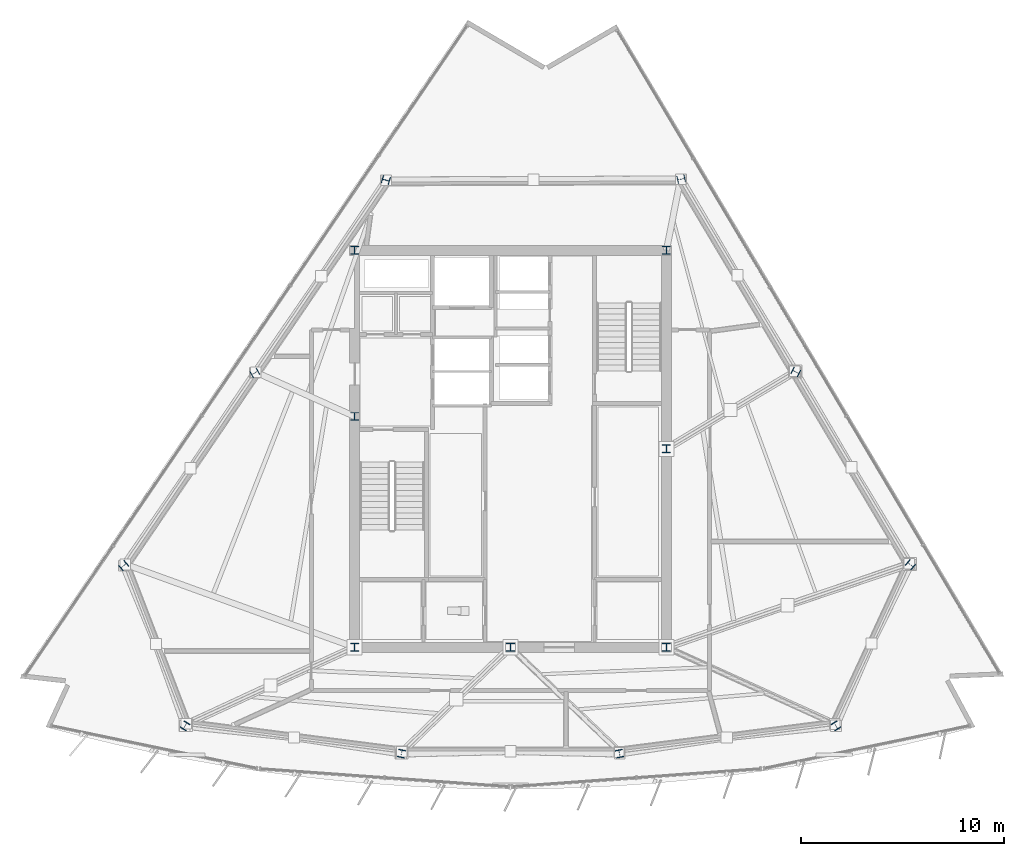
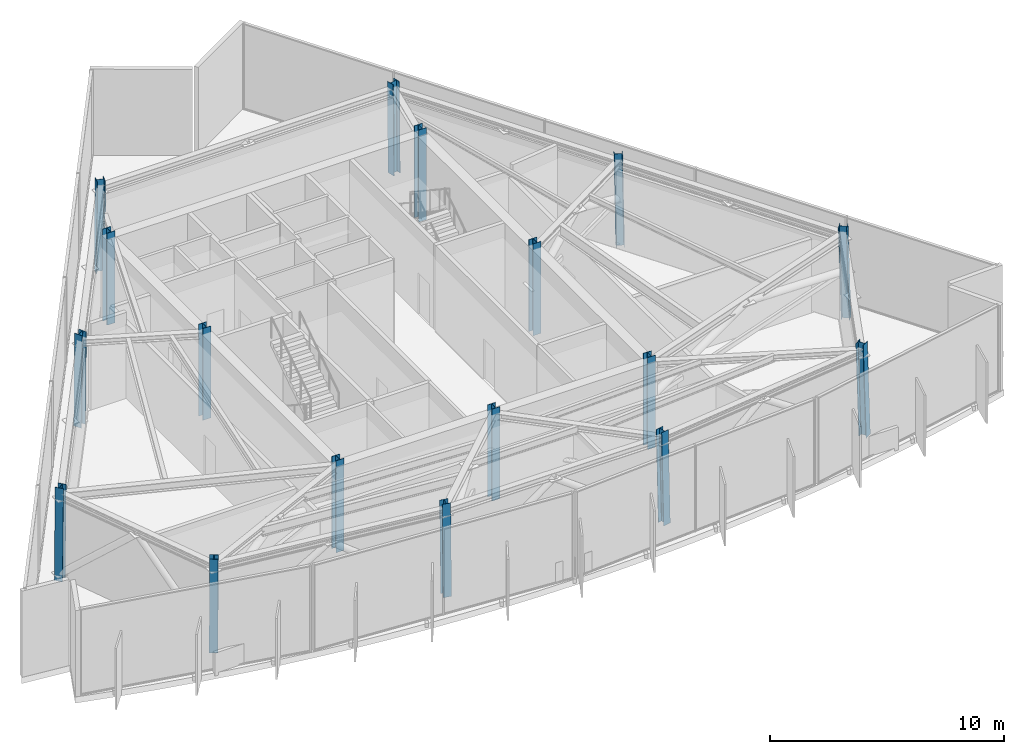
# One storey, part 1 of 14: 17 columns.
"""IFC4 building model written with IfcOpenShell, lengths in metres."""

from ifc_helpers import new_model, si_unit, direction, frame, origin, origin_2d, place, context, subcontext, project, spatial, i_section, extrude, material, material_profile, profile_set, type_object, element, save


model = new_model("IFC4")

# Units and contexts
model_context = context("Model", 3, precision=1e-05, world=origin(), true_north=direction((0.0, 1.0)))
body_context = subcontext(model_context, "Body", "Model", "MODEL_VIEW")
ifc_project = project(units=[si_unit("LENGTHUNIT", "METRE"), si_unit("AREAUNIT", "SQUARE_METRE"), si_unit("VOLUMEUNIT", "CUBIC_METRE"), si_unit("PLANEANGLEUNIT", "RADIAN"), si_unit("MASSUNIT", "GRAM", prefix="KILO")], contexts=[model_context])

# Site, building, storey
site_placement = place(None, origin())
site = spatial("IfcSite", under=ifc_project, at=site_placement, CompositionType="ELEMENT")
building_placement = place(site_placement, origin())
building = spatial("IfcBuilding", under=site, at=building_placement, Name="Savorim Split Tower", CompositionType="ELEMENT")
storey_placement = place(building_placement, frame((0.0, 0.0, 241.5)))
storey = spatial("IfcBuildingStorey", under=building, at=storey_placement, Name="L64", CompositionType="ELEMENT", Elevation=241.5)

# Columns
ifc_material = material(Name="Steel S355", Category="steel")
ifc_material_profile_1 = material_profile(ifc_material, i_section(OverallWidth=0.3740234375, OverallDepth=0.3720703125, WebThickness=0.01220703125, FlangeThickness=0.02001953125, FilletRadius=0.014892578125, at=origin_2d()), Name="HD 360x196")
ifc_profile_set_1 = profile_set([ifc_material_profile_1], Name="Steel S355")
column_type_1 = type_object("IfcColumnType", Name="COL-HD-196", PredefinedType="COLUMN", material=ifc_profile_set_1)
column_1_placement = place(storey_placement, frame((-16.077880859375, -13.292724609375, 0.005615234375), z_axis=(0.01589889458, 0.025784745697, 0.999541080717), x_axis=(-0.851195920716, 0.524848077596, 0.0)))
element("IfcColumn", 1, at=column_1_placement, inside=storey, type_object=column_type_1, Name="L64 Tapered Perimeter Column PC-S1", PredefinedType="COLUMN", context=body_context, shape_type="SweptSolid", body=[
    extrude(i_section(OverallWidth=0.3740234375, OverallDepth=0.3720703125, WebThickness=0.01220703125, FlangeThickness=0.02001953125, FilletRadius=0.014892578125, at=origin_2d()), origin(), (0.0, 0.0, 1.0), 4.791015625),
])
for number, where, z_axis, x_axis, name in (
    (2, (-5.388427734375, -14.665283203125, 0.005615234375), (0.005300026585, 0.027213598042, 0.999615591015), (-0.981557946631, 0.191164843539, 0.0), "L64 Tapered Perimeter Column PC-S2"),
    (3, (5.388427734375, -14.665283203125, 0.005615234375), (-0.005300026585, 0.027213598042, 0.999615591015), (-0.981557946631, -0.191164843539, 0.0), "L64 Tapered Perimeter Column PC-S3"),
):
    element("IfcColumn", number, at=place(storey_placement, frame(where, z_axis=z_axis, x_axis=x_axis)), inside=storey, type_object=column_type_1, Name=name, PredefinedType="COLUMN", context=body_context, shape_type="SweptSolid", body=[
        extrude(i_section(OverallWidth=0.3740234375, OverallDepth=0.3720703125, WebThickness=0.01220703125, FlangeThickness=0.02001953125, FilletRadius=0.014892578125, at=origin_2d()), origin(), (0.0, 0.0, 1.0), 4.790771484375),
    ])
column_2_placement = place(storey_placement, frame((16.077880859375, -13.292724609375, 0.005615234375), z_axis=(-0.01589889458, 0.025784745697, 0.999541080717), x_axis=(-0.851195920716, -0.524848077596, 0.0)))
element("IfcColumn", 4, at=column_2_placement, inside=storey, type_object=column_type_1, Name="L64 Tapered Perimeter Column PC-S4", PredefinedType="COLUMN", context=body_context, shape_type="SweptSolid", body=[
    extrude(i_section(OverallWidth=0.3740234375, OverallDepth=0.3720703125, WebThickness=0.01220703125, FlangeThickness=0.02001953125, FilletRadius=0.014892578125, at=origin_2d()), origin(), (0.0, 0.0, 1.0), 4.791015625),
])
column_3_placement = place(storey_placement, frame((19.7626953125, -5.330810546875, 0.005615234375), z_axis=(-0.020079845425, 0.016614288347, 0.999660324926), x_axis=(-0.637487669625, -0.770460557768, 0.0)))
element("IfcColumn", 5, at=column_3_placement, inside=storey, type_object=column_type_1, Name="L64 Tapered Perimeter Column PC-E1", PredefinedType="COLUMN", context=body_context, shape_type="SweptSolid", body=[
    extrude(i_section(OverallWidth=0.3740234375, OverallDepth=0.3720703125, WebThickness=0.01220703125, FlangeThickness=0.02001953125, FilletRadius=0.014892578125, at=origin_2d()), origin(), (0.0, 0.0, 1.0), 4.79052734375),
])
column_4_placement = place(storey_placement, frame((14.098876953125, 4.1943359375, 0.005615234375), z_axis=(-0.01457873563, 0.007340342415, 0.999866781047), x_axis=(-0.449710241045, -0.893174506521, 0.0)))
element("IfcColumn", 6, at=column_4_placement, inside=storey, type_object=column_type_1, Name="L64 Tapered Perimeter Column PC-E2", PredefinedType="COLUMN", context=body_context, shape_type="SweptSolid", body=[
    extrude(i_section(OverallWidth=0.3740234375, OverallDepth=0.3720703125, WebThickness=0.01220703125, FlangeThickness=0.02001953125, FilletRadius=0.014892578125, at=origin_2d()), origin(), (0.0, 0.0, 1.0), 4.78955078125),
])
column_5_placement = place(storey_placement, frame((8.43505859375, 13.719482421875, 0.005615234375), z_axis=(-0.009074296177, -0.001988188488, 0.999956851197), x_axis=(0.214024191307, -0.976828360325, 0.0)))
element("IfcColumn", 7, at=column_5_placement, inside=storey, type_object=column_type_1, Name="L64 Tapered Perimeter Column PC-E3", PredefinedType="COLUMN", context=body_context, shape_type="SweptSolid", body=[
    extrude(i_section(OverallWidth=0.3740234375, OverallDepth=0.3720703125, WebThickness=0.01220703125, FlangeThickness=0.02001953125, FilletRadius=0.014892578125, at=origin_2d()), origin(), (0.0, 0.0, 1.0), 4.7890625),
])
column_6_placement = place(storey_placement, frame((-6.154296875, 13.670654296875, 0.005615234375), z_axis=(0.006729378041, -0.00198822533, 0.999975380913), x_axis=(0.283346141017, 0.959017708059, 0.0)))
element("IfcColumn", 8, at=column_6_placement, inside=storey, type_object=column_type_1, Name="L64 Tapered Perimeter Column PC-W1", PredefinedType="COLUMN", context=body_context, shape_type="SweptSolid", body=[
    extrude(i_section(OverallWidth=0.3740234375, OverallDepth=0.3720703125, WebThickness=0.01220703125, FlangeThickness=0.02001953125, FilletRadius=0.014892578125, at=origin_2d()), origin(), (0.0, 0.0, 1.0), 4.788818359375),
])
column_7_placement = place(storey_placement, frame((-12.63427734375, 4.1455078125, 0.005615234375), z_axis=(0.013151707095, 0.007340487681, 0.999886568487), x_axis=(-0.487366159264, 0.873197702015, 0.0)))
element("IfcColumn", 9, at=column_7_placement, inside=storey, type_object=column_type_1, Name="L64 Tapered Perimeter Column PC-W2", PredefinedType="COLUMN", context=body_context, shape_type="SweptSolid", body=[
    extrude(i_section(OverallWidth=0.3740234375, OverallDepth=0.3720703125, WebThickness=0.01220703125, FlangeThickness=0.02001953125, FilletRadius=0.014892578125, at=origin_2d()), origin(), (0.0, 0.0, 1.0), 4.789306640625),
])
column_8_placement = place(storey_placement, frame((-19.114013671875, -5.379638671875, 0.005615234375), z_axis=(0.019468495457, 0.016665439828, 0.999671566466), x_axis=(-0.65029991508, 0.759677576638, 0.0)))
element("IfcColumn", 10, at=column_8_placement, inside=storey, type_object=column_type_1, Name="L64 Tapered Perimeter Column PC-W3", PredefinedType="COLUMN", context=body_context, shape_type="SweptSolid", body=[
    extrude(i_section(OverallWidth=0.3740234375, OverallDepth=0.3720703125, WebThickness=0.01220703125, FlangeThickness=0.02001953125, FilletRadius=0.014892578125, at=origin_2d()), origin(), (0.0, 0.0, 1.0), 4.790283203125),
])
ifc_material_profile_2 = material_profile(ifc_material, i_section(OverallWidth=0.39794921875, OverallDepth=0.386962890625, WebThickness=0.013427734375, FlangeThickness=0.02197265625, FilletRadius=0.014892578125, at=origin_2d()), Name="HD 400x262")
ifc_profile_set_2 = profile_set([ifc_material_profile_2], Name="Steel S355")
column_type_2 = type_object("IfcColumnType", Name="COL-HD-262", PredefinedType="COLUMN", material=ifc_profile_set_2)
for number, where, z_axis, x_axis, name in (
    (11, (-7.699951171875, -9.39990234375, 0.0), (0.0, 0.0, 1.0), (1.0, 0.0, 0.0), "L64 Core Structural Column TC-C1"),
    (12, (7.699951171875, -9.39990234375, 0.0), (0.0, 0.0, 1.0), (1.0, 0.0, 0.0), "L64 Core Structural Column TC-C2"),
    (13, (7.699951171875, 10.199951171875, 0.0), (0.0, 0.0, 1.0), (1.0, 0.0, 0.0), "L64 Core Structural Column TC-C3"),
    (14, (-7.699951171875, 10.199951171875, 0.0), (0.0, 0.0, 1.0), (1.0, 0.0, 0.0), "L64 Core Structural Column TC-C4"),
    (15, (0.0, -9.39990234375, 0.0), (0.0, 0.0, 1.0), (1.0, 0.0, 0.0), "L64 Core Structural Column TC-C5"),
    (16, (7.699951171875, 0.39990234375, 0.0), (0.0, 0.0, 1.0), (1.0, 0.0, 0.0), "L64 Core Structural Column TC-C6"),
    (17, (-7.699951171875, 2.0, 0.0), (0.0, 0.0, 1.0), (1.0, 0.0, 0.0), "L64 Core Structural Column TC-C7"),
):
    element("IfcColumn", number, at=place(storey_placement, frame(where, z_axis=z_axis, x_axis=x_axis)), inside=storey, type_object=column_type_2, Name=name, PredefinedType="COLUMN", context=body_context, shape_type="SweptSolid", body=[
        extrude(i_section(OverallWidth=0.39794921875, OverallDepth=0.386962890625, WebThickness=0.013427734375, FlangeThickness=0.02197265625, FilletRadius=0.014892578125, at=origin_2d()), origin(), (0.0, 0.0, 1.0), 4.800048828125),
    ])

save(model, "model.ifc")
